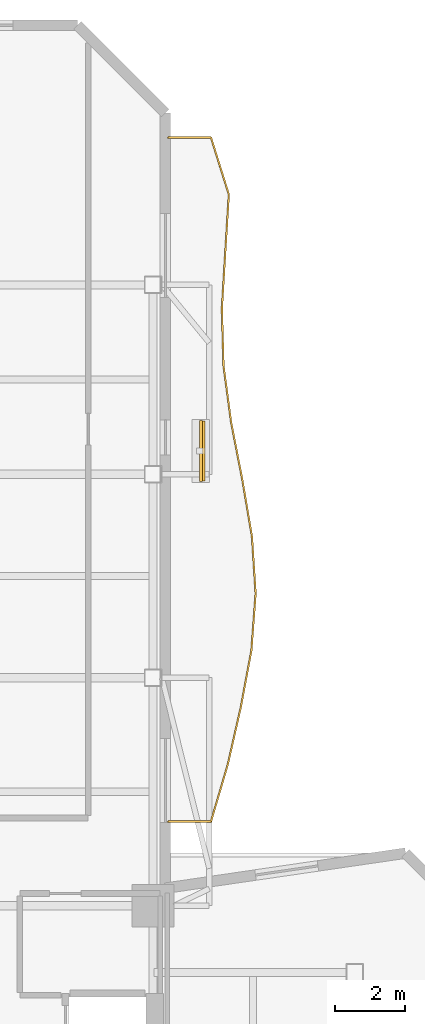
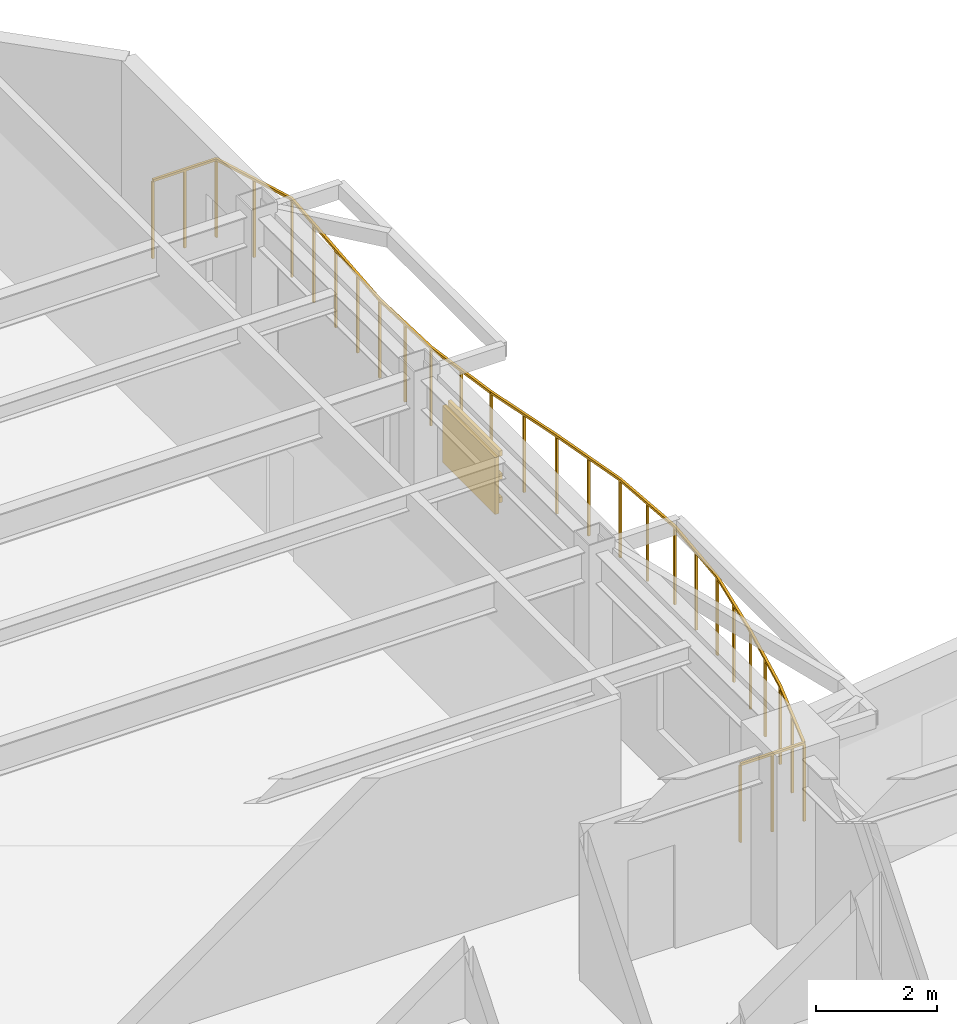
# One storey, part 9 of 9: 4 shading devices, 1 railing.
"""IFC4 building model written with IfcOpenShell, lengths in metres."""

from ifc_helpers import new_model, si_unit, direction, frame, origin, origin_2d, place, context, subcontext, project, spatial, rectangle, extrude, material, layer, layer_set, material_profile, profile_set, type_object, element, save


model = new_model("IFC4")

# Units and contexts
model_context = context("Model", 3, precision=1e-05, world=origin(), true_north=direction((0.0, 1.0)))
body_context = subcontext(model_context, "Body", "Model", "MODEL_VIEW")
ifc_project = project(units=[si_unit("LENGTHUNIT", "METRE"), si_unit("AREAUNIT", "SQUARE_METRE"), si_unit("VOLUMEUNIT", "CUBIC_METRE"), si_unit("PLANEANGLEUNIT", "RADIAN"), si_unit("MASSUNIT", "GRAM", prefix="KILO")], contexts=[model_context])

# Site, building, storey
site_placement = place(None, origin())
site = spatial("IfcSite", under=ifc_project, at=site_placement, CompositionType="ELEMENT")
building_placement = place(site_placement, origin())
building = spatial("IfcBuilding", under=site, at=building_placement, Name="Mawjaban Terraces University", CompositionType="ELEMENT")
storey_placement = place(building_placement, frame((0.0, 0.0, 146.300048828125)))
storey = spatial("IfcBuildingStorey", under=building, at=storey_placement, Name="L35", CompositionType="ELEMENT", Elevation=146.300048828125)

# Railing
ifc_material_1 = material(Name="Galvanised powder-coated steel S355", Category="steel")
railing_type = type_object("IfcRailingType", Name="BalconyBalustrade_1600", PredefinedType="BALUSTRADE", material=ifc_material_1)
railing_placement = place(storey_placement, frame((38.080078125, 25.89990234375, 0.0)))
element("IfcRailing", 1, at=railing_placement, inside=storey, type_object=railing_type, Name="L35 Balcony Guardrail inner_east", PredefinedType="BALUSTRADE", context=body_context, shape_type="SweptSolid", body=[
    extrude(rectangle(XDim=0.048095703125, YDim=0.048095703125, at=origin_2d()), frame((0.0, 0.0, 1.576171875), z_axis=(1.0, 0.0, 0.0), x_axis=(0.0, 1.0, 0.0)), (0.0, 0.0, 1.0), 1.219970703125),
    extrude(rectangle(XDim=0.048095703125, YDim=0.048095703125, at=origin_2d()), frame((1.219970703125, 0.0, 1.576171875), z_axis=(0.282743630405, 0.959195516808, 0.0), x_axis=(-0.959195516808, 0.282743630405, 0.0)), (0.0, 0.0, 1.0), 1.694091796875),
    extrude(rectangle(XDim=0.048095703125, YDim=0.048095703125, at=origin_2d()), frame((1.698974609375, 1.625, 1.576171875), z_axis=(0.221937679079, 0.97506085277, 0.0), x_axis=(-0.97506085277, 0.221937679079, 0.0)), (0.0, 0.0, 1.0), 1.66650390625),
    extrude(rectangle(XDim=0.048095703125, YDim=0.048095703125, at=origin_2d()), frame((2.06884765625, 3.25, 1.576171875), z_axis=(0.183860526718, 0.982952342036, 0.0), x_axis=(-0.982952342036, 0.183860526718, 0.0)), (0.0, 0.0, 1.0), 1.653076171875),
    extrude(rectangle(XDim=0.048095703125, YDim=0.048095703125, at=origin_2d()), frame((2.372802734375, 4.875, 1.576171875), z_axis=(0.074313181577, 0.997234952779, 0.0), x_axis=(-0.997234952779, 0.074313181577, 0.0)), (0.0, 0.0, 1.0), 1.62939453125),
    extrude(rectangle(XDim=0.048095703125, YDim=0.048095703125, at=origin_2d()), frame((2.493896484375, 6.5, 1.576171875), z_axis=(-0.064468971781, 0.99791971204, 0.0), x_axis=(-0.99791971204, -0.064468971781, 0.0)), (0.0, 0.0, 1.0), 1.62841796875),
    extrude(rectangle(XDim=0.048095703125, YDim=0.048095703125, at=origin_2d()), frame((2.388916015625, 8.125, 1.576171875), z_axis=(-0.167376669863, 0.985893021776, 0.0), x_axis=(-0.985893021776, -0.167376669863, 0.0)), (0.0, 0.0, 1.0), 1.648193359375),
    extrude(rectangle(XDim=0.048095703125, YDim=0.048095703125, at=origin_2d()), frame((2.113037109375, 9.75, 1.576171875), z_axis=(-0.191548470302, 0.981483154988, 0.0), x_axis=(-0.981483154988, -0.191548470302, 0.0)), (0.0, 0.0, 1.0), 1.65576171875),
    extrude(rectangle(XDim=0.048095703125, YDim=0.048095703125, at=origin_2d()), frame((1.7958984375, 11.375, 1.576171875), z_axis=(-0.132973231523, 0.991119629358, 0.0), x_axis=(-0.991119629358, -0.132973231523, 0.0)), (0.0, 0.0, 1.0), 1.6396484375),
    extrude(rectangle(XDim=0.048095703125, YDim=0.048095703125, at=origin_2d()), frame((1.577880859375, 13.0, 1.576171875), z_axis=(-0.028233932166, 0.999601343074, 0.0), x_axis=(-0.999601343074, -0.028233932166, 0.0)), (0.0, 0.0, 1.0), 1.625732421875),
    extrude(rectangle(XDim=0.048095703125, YDim=0.048095703125, at=origin_2d()), frame((1.531982421875, 14.625, 1.576171875), z_axis=(0.06013735497, 0.99819011142, 0.0), x_axis=(-0.99819011142, 0.06013735497, 0.0)), (0.0, 0.0, 1.0), 1.6279296875),
    extrude(rectangle(XDim=0.048095703125, YDim=0.048095703125, at=origin_2d()), frame((1.6298828125, 16.25, 1.576171875), z_axis=(0.061482024976, 0.998108190831, 0.0), x_axis=(-0.998108190831, 0.061482024976, 0.0)), (0.0, 0.0, 1.0), 1.628173828125),
    extrude(rectangle(XDim=0.048095703125, YDim=0.048095703125, at=origin_2d()), frame((1.72998046875, 17.875, 1.576171875), z_axis=(-0.299450103384, 0.954111961765, 0.0), x_axis=(-0.954111961765, -0.299450103384, 0.0)), (0.0, 0.0, 1.0), 1.703125),
    extrude(rectangle(XDim=0.048095703125, YDim=0.048095703125, at=origin_2d()), frame((1.219970703125, 19.5, 1.576171875), z_axis=(-1.0, 0.0, 0.0), x_axis=(0.0, -1.0, 0.0)), (0.0, 0.0, 1.0), 1.219970703125),
    extrude(rectangle(XDim=0.0419921875, YDim=0.0419921875, at=origin_2d()), origin(), (0.0, 0.0, 1.0), 1.552001953125),
    extrude(rectangle(XDim=0.0419921875, YDim=0.0419921875, at=origin_2d()), frame((0.60986328125, 0.0, 0.0)), (0.0, 0.0, 1.0), 1.552001953125),
    extrude(rectangle(XDim=0.0419921875, YDim=0.0419921875, at=origin_2d()), frame((1.219970703125, 0.0, 0.0)), (0.0, 0.0, 1.0), 1.552001953125),
    extrude(rectangle(XDim=0.0419921875, YDim=0.0419921875, at=origin_2d()), frame((1.45947265625, 0.8125, 0.0)), (0.0, 0.0, 1.0), 1.552001953125),
    extrude(rectangle(XDim=0.0419921875, YDim=0.0419921875, at=origin_2d()), frame((1.698974609375, 1.625, 0.0)), (0.0, 0.0, 1.0), 1.552001953125),
    extrude(rectangle(XDim=0.0419921875, YDim=0.0419921875, at=origin_2d()), frame((1.8837890625, 2.4375, 0.0)), (0.0, 0.0, 1.0), 1.552001953125),
    extrude(rectangle(XDim=0.0419921875, YDim=0.0419921875, at=origin_2d()), frame((2.06884765625, 3.25, 0.0)), (0.0, 0.0, 1.0), 1.552001953125),
    extrude(rectangle(XDim=0.0419921875, YDim=0.0419921875, at=origin_2d()), frame((2.220703125, 4.0625, 0.0)), (0.0, 0.0, 1.0), 1.552001953125),
    extrude(rectangle(XDim=0.0419921875, YDim=0.0419921875, at=origin_2d()), frame((2.372802734375, 4.875, 0.0)), (0.0, 0.0, 1.0), 1.552001953125),
    extrude(rectangle(XDim=0.0419921875, YDim=0.0419921875, at=origin_2d()), frame((2.433349609375, 5.6875, 0.0)), (0.0, 0.0, 1.0), 1.552001953125),
    extrude(rectangle(XDim=0.0419921875, YDim=0.0419921875, at=origin_2d()), frame((2.493896484375, 6.5, 0.0)), (0.0, 0.0, 1.0), 1.552001953125),
    extrude(rectangle(XDim=0.0419921875, YDim=0.0419921875, at=origin_2d()), frame((2.44140625, 7.3125, 0.0)), (0.0, 0.0, 1.0), 1.552001953125),
    extrude(rectangle(XDim=0.0419921875, YDim=0.0419921875, at=origin_2d()), frame((2.388916015625, 8.125, 0.0)), (0.0, 0.0, 1.0), 1.552001953125),
    extrude(rectangle(XDim=0.0419921875, YDim=0.0419921875, at=origin_2d()), frame((2.2509765625, 8.9375, 0.0)), (0.0, 0.0, 1.0), 1.552001953125),
    extrude(rectangle(XDim=0.0419921875, YDim=0.0419921875, at=origin_2d()), frame((2.113037109375, 9.75, 0.0)), (0.0, 0.0, 1.0), 1.552001953125),
    extrude(rectangle(XDim=0.0419921875, YDim=0.0419921875, at=origin_2d()), frame((1.95458984375, 10.5625, 0.0)), (0.0, 0.0, 1.0), 1.552001953125),
    extrude(rectangle(XDim=0.0419921875, YDim=0.0419921875, at=origin_2d()), frame((1.7958984375, 11.375, 0.0)), (0.0, 0.0, 1.0), 1.552001953125),
    extrude(rectangle(XDim=0.0419921875, YDim=0.0419921875, at=origin_2d()), frame((1.68701171875, 12.1875, 0.0)), (0.0, 0.0, 1.0), 1.552001953125),
    extrude(rectangle(XDim=0.0419921875, YDim=0.0419921875, at=origin_2d()), frame((1.577880859375, 13.0, 0.0)), (0.0, 0.0, 1.0), 1.552001953125),
    extrude(rectangle(XDim=0.0419921875, YDim=0.0419921875, at=origin_2d()), frame((1.554931640625, 13.8125, 0.0)), (0.0, 0.0, 1.0), 1.552001953125),
    extrude(rectangle(XDim=0.0419921875, YDim=0.0419921875, at=origin_2d()), frame((1.531982421875, 14.625, 0.0)), (0.0, 0.0, 1.0), 1.552001953125),
    extrude(rectangle(XDim=0.0419921875, YDim=0.0419921875, at=origin_2d()), frame((1.5810546875, 15.4375, 0.0)), (0.0, 0.0, 1.0), 1.552001953125),
    extrude(rectangle(XDim=0.0419921875, YDim=0.0419921875, at=origin_2d()), frame((1.6298828125, 16.25, 0.0)), (0.0, 0.0, 1.0), 1.552001953125),
    extrude(rectangle(XDim=0.0419921875, YDim=0.0419921875, at=origin_2d()), frame((1.679931640625, 17.0625, 0.0)), (0.0, 0.0, 1.0), 1.552001953125),
    extrude(rectangle(XDim=0.0419921875, YDim=0.0419921875, at=origin_2d()), frame((1.72998046875, 17.875, 0.0)), (0.0, 0.0, 1.0), 1.552001953125),
    extrude(rectangle(XDim=0.0419921875, YDim=0.0419921875, at=origin_2d()), frame((1.47509765625, 18.6875, 0.0)), (0.0, 0.0, 1.0), 1.552001953125),
    extrude(rectangle(XDim=0.0419921875, YDim=0.0419921875, at=origin_2d()), frame((1.219970703125, 19.5, 0.0)), (0.0, 0.0, 1.0), 1.552001953125),
    extrude(rectangle(XDim=0.0419921875, YDim=0.0419921875, at=origin_2d()), frame((0.60986328125, 19.5, 0.0)), (0.0, 0.0, 1.0), 1.552001953125),
    extrude(rectangle(XDim=0.0419921875, YDim=0.0419921875, at=origin_2d()), frame((0.0, 19.5, 0.0)), (0.0, 0.0, 1.0), 1.552001953125),
])

# Shading devices
ifc_material_2 = material(Name="Glazed architectural terracotta ceramic", Category="masonry")
ifc_material_profile = material_profile(ifc_material_2, rectangle(XDim=0.06494140625, YDim=0.110107421875, at=origin_2d()), Name="TBAG110X65")
ifc_profile_set = profile_set([ifc_material_profile], Name="Glazed architectural terracotta ceramic")
shading_device_type_1 = type_object("IfcShadingDeviceType", Name="TerracottaBaguette_110x65", PredefinedType="USERDEFINED", material=ifc_profile_set)
for number, where, z_axis, x_axis, name in (
    (2, (39.096923828125, 35.612060546875, 0.679931640625), (0.0, 1.0, 0.0), (-1.0, 0.0, 0.0), "L35 Horizontal Terracotta Baguette inner_east.1"),
    (3, (39.096923828125, 35.612060546875, 1.14990234375), (0.0, 1.0, 0.0), (-1.0, 0.0, 0.0), "L35 Horizontal Terracotta Baguette inner_east.2"),
    (4, (39.096923828125, 35.612060546875, 1.619873046875), (0.0, 1.0, 0.0), (-1.0, 0.0, 0.0), "L35 Horizontal Terracotta Baguette inner_east.3"),
):
    element("IfcShadingDevice", number, at=place(storey_placement, frame(where, z_axis=z_axis, x_axis=x_axis)), inside=storey, type_object=shading_device_type_1, Name=name, ObjectType="BAGUETTE", PredefinedType="USERDEFINED", context=body_context, shape_type="SweptSolid", body=[
        extrude(rectangle(XDim=0.06494140625, YDim=0.110107421875, at=origin_2d()), origin(), (0.0, 0.0, 1.0), 1.699951171875),
    ])
ifc_layer = layer(ifc_material_2, 0.080078125)
ifc_layer_set = layer_set([ifc_layer], Name="Glazed architectural terracotta ceramic")
shading_device_type_2 = type_object("IfcShadingDeviceType", Name="TerracottaScreen_Perforated", PredefinedType="USERDEFINED", material=ifc_layer_set)
shading_device_placement = place(storey_placement, frame((39.011962890625, 36.4619140625, 0.43994140625), z_axis=(0.0, 0.0, 1.0), x_axis=(0.0, 1.0, 0.0)))
element("IfcShadingDevice", 5, at=shading_device_placement, inside=storey, type_object=shading_device_type_2, Name="L35 Balcony Perforated Terracotta Screen inner_east", ObjectType="SCREEN", PredefinedType="USERDEFINED", context=body_context, shape_type="SweptSolid", body=[
    extrude(rectangle(XDim=1.75, YDim=0.080078125, at=origin_2d()), origin(), (0.0, 0.0, 1.0), 1.14990234375),
])

save(model, "model.ifc")
